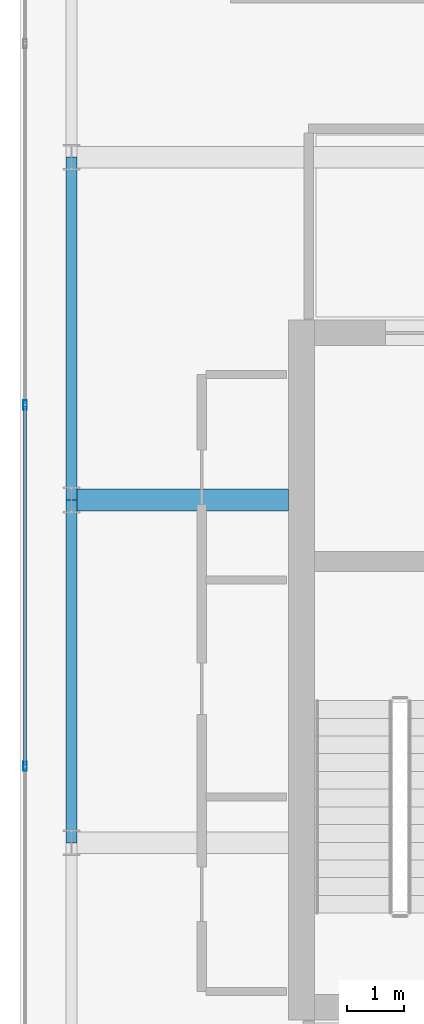
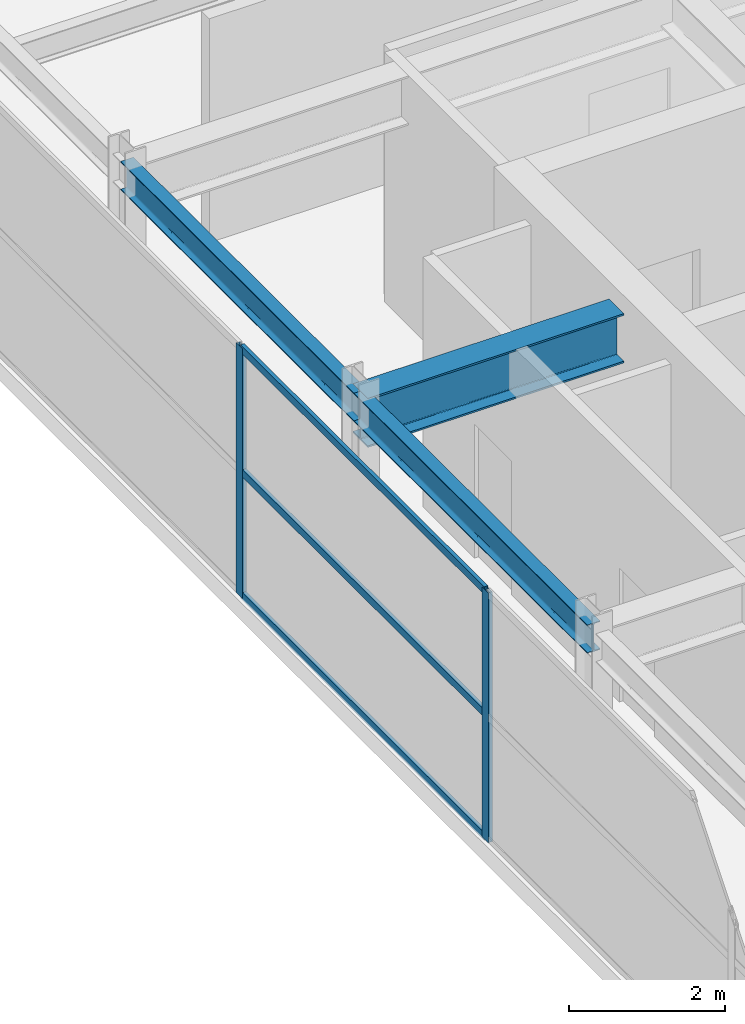
# One storey, part 11 of 32: 5 members, 3 beams, 1 element without a shape of its own.
"""IFC4 building model written with IfcOpenShell, lengths in metres."""

from ifc_helpers import new_model, si_unit, direction, frame, origin, origin_2d, place, context, subcontext, project, spatial, hollow_rectangle, i_section, extrude, source, transform, mapped, material, layer, layer_set, material_profile, profile_set, type_object, element, aggregate, save


model = new_model("IFC4")

# Units and contexts
model_context = context("Model", 3, precision=1e-05, world=origin(), true_north=direction((0.0, 1.0)))
body_context = subcontext(model_context, "Body", "Model", "MODEL_VIEW")
ifc_project = project(units=[si_unit("LENGTHUNIT", "METRE"), si_unit("AREAUNIT", "SQUARE_METRE"), si_unit("VOLUMEUNIT", "CUBIC_METRE"), si_unit("PLANEANGLEUNIT", "RADIAN"), si_unit("MASSUNIT", "GRAM", prefix="KILO")], contexts=[model_context])

# Site, building, storey
site_placement = place(None, origin())
site = spatial("IfcSite", under=ifc_project, at=site_placement, CompositionType="ELEMENT")
building_placement = place(site_placement, origin())
building = spatial("IfcBuilding", under=site, at=building_placement, Name="Khoralis Quay Care Tower", CompositionType="ELEMENT")
storey_placement = place(building_placement, frame((0.0, 0.0, 297.89990234375)))
storey = spatial("IfcBuildingStorey", under=building, at=storey_placement, Name="L78", CompositionType="ELEMENT", Elevation=297.89990234375)

# Beams
ifc_material_1 = material(Name="Steel S355", Category="steel")
ifc_material_profile_1 = material_profile(ifc_material_1, i_section(OverallWidth=0.18994140625, OverallDepth=0.449951171875, WebThickness=0.009521484375, FlangeThickness=0.0146484375, FilletRadius=0.02099609375, at=origin_2d()), Name="Steel S355")
ifc_profile_set_1 = profile_set([ifc_material_profile_1], Name="Steel S355")
beam_type_1 = type_object("IfcBeamType", Name="BM-IPE450", PredefinedType="SPANDREL", material=ifc_profile_set_1)
shared_shape_1 = source(origin(), body_context, "Body", "SweptSolid", [
    extrude(i_section(OverallWidth=0.18994140625, OverallDepth=0.449951171875, WebThickness=0.009521484375, FlangeThickness=0.0146484375, FilletRadius=0.02099609375, at=origin_2d()), origin(), (0.0, 0.0, 1.0), 6.0),
])
for number, where, z_axis, x_axis, name in (
    (1, (3.89990234375, 18.0, 3.695068359375), (0.0, 1.0, 0.0), (-1.0, 0.0, 0.0), "BM-TSP-L78-10"),
    (2, (3.89990234375, 24.0, 3.695068359375), (0.0, 1.0, 0.0), (-1.0, 0.0, 0.0), "BM-TSP-L78-11"),
):
    element("IfcBeam", number, at=place(storey_placement, frame(where, z_axis=z_axis, x_axis=x_axis)), inside=storey, type_object=beam_type_1, Name=name, PredefinedType="SPANDREL", context=body_context, shape_type="MappedRepresentation", body=[
        mapped(shared_shape_1, transform((0.0, 0.0, 0.0), scale=1.0)),
    ])
ifc_material_profile_2 = material_profile(ifc_material_1, i_section(OverallWidth=0.381103515625, OverallDepth=0.77294921875, WebThickness=0.0166015625, FlangeThickness=0.027587890625, FilletRadius=0.02197265625, at=origin_2d()), Name="Steel S355")
ifc_profile_set_2 = profile_set([ifc_material_profile_2], Name="Steel S355")
beam_type_2 = type_object("IfcBeamType", Name="BM-W760X257", PredefinedType="BEAM", material=ifc_profile_set_2)
shared_shape_2 = source(origin(), body_context, "Body", "SweptSolid", [
    extrude(i_section(OverallWidth=0.381103515625, OverallDepth=0.77294921875, WebThickness=0.0166015625, FlangeThickness=0.027587890625, FilletRadius=0.02197265625, at=origin_2d()), origin(), (0.0, 0.0, 1.0), 3.802001953125),
])
beam_placement = place(storey_placement, frame((3.89990234375, 24.0, 3.53369140625), z_axis=(1.0, 0.0, 0.0), x_axis=(0.0, 1.0, 0.0)))
element("IfcBeam", 3, at=beam_placement, inside=storey, type_object=beam_type_2, Name="BM-TGXW-L78-240", PredefinedType="BEAM", context=body_context, shape_type="MappedRepresentation", body=[
    mapped(shared_shape_2, transform((0.0, 0.0, 0.0), scale=1.0)),
])

# Curtain wall, members
ifc_material_2 = material(Name="Pale anodised aluminium", Category="aluminium")
ifc_layer = layer(ifc_material_2, 0.199951171875)
ifc_layer_set = layer_set([ifc_layer], Name="Pale anodised aluminium")
curtain_wall_type = type_object("IfcCurtainWallType", Name="CW-SYS-LANTERN", PredefinedType="NOTDEFINED", material=ifc_layer_set)
curtain_wall_placement = place(storey_placement, origin())
curtain_wall = element("IfcCurtainWall", 4, at=curtain_wall_placement, inside=storey, type_object=curtain_wall_type, Name="L78 Unitised Curtain Wall CW-LN-L78-16", PredefinedType="NOTDEFINED")
ifc_material_profile_3 = material_profile(ifc_material_2, hollow_rectangle(XDim=0.06005859375, YDim=0.159912109375, WallThickness=0.00390625, at=origin_2d()), Name="Pale anodised aluminium")
ifc_profile_set_3 = profile_set([ifc_material_profile_3], Name="Pale anodised aluminium")
member_type_1 = type_object("IfcMemberType", Name="CW-MUL-160", PredefinedType="MULLION", material=ifc_profile_set_3)
shared_shape_3 = source(origin(), body_context, "Body", "SweptSolid", [
    extrude(hollow_rectangle(XDim=0.06005859375, YDim=0.159912109375, WallThickness=0.00390625, at=origin_2d()), origin(), (0.0, 0.0, 1.0), 3.920166015625),
])
member_1_placement = place(storey_placement, frame((3.090087890625, 25.662109375, 0.0), z_axis=(0.0, 0.0, 1.0), x_axis=(1.0, 0.0, 0.0)))
member_1 = element("IfcMember", 5, at=member_1_placement, type_object=member_type_1, Name="CW5 mullion 3", PredefinedType="MULLION", context=body_context, shape_type="MappedRepresentation", body=[
    mapped(shared_shape_3, transform((0.0, 0.0, 0.0), scale=1.0)),
])
member_2_placement = place(storey_placement, frame((3.090087890625, 19.337890625, 0.0), z_axis=(0.0, 0.0, 1.0), x_axis=(1.0, 0.0, 0.0)))
member_2 = element("IfcMember", 6, at=member_2_placement, type_object=member_type_1, Name="CW5 mullion 4", PredefinedType="MULLION", context=body_context, shape_type="MappedRepresentation", body=[
    mapped(shared_shape_3, transform((0.0, 0.0, 0.0), scale=1.0)),
])
ifc_material_profile_4 = material_profile(ifc_material_2, hollow_rectangle(XDim=0.054931640625, YDim=0.1201171875, WallThickness=0.00390625, at=origin_2d()), Name="Pale anodised aluminium")
ifc_profile_set_4 = profile_set([ifc_material_profile_4], Name="Pale anodised aluminium")
member_type_2 = type_object("IfcMemberType", Name="CW-TRN-120", PredefinedType="USERDEFINED", material=ifc_profile_set_4)
shared_shape_4 = source(origin(), body_context, "Body", "SweptSolid", [
    extrude(hollow_rectangle(XDim=0.054931640625, YDim=0.1201171875, WallThickness=0.00390625, at=origin_2d()), origin(), (0.0, 0.0, 1.0), 6.26416015625),
])
member_3_placement = place(storey_placement, frame((3.090087890625, 25.632080078125, 0.030029296875), z_axis=(0.0, -1.0, 0.0), x_axis=(1.0, 0.0, 0.0)))
member_3 = element("IfcMember", 7, at=member_3_placement, type_object=member_type_2, Name="CW5 transom 3.1", ObjectType="TRANSOM", PredefinedType="USERDEFINED", context=body_context, shape_type="MappedRepresentation", body=[
    mapped(shared_shape_4, transform((0.0, 0.0, 0.0), scale=1.0)),
])
member_4_placement = place(storey_placement, frame((3.090087890625, 25.632080078125, 1.960205078125), z_axis=(0.0, -1.0, 0.0), x_axis=(1.0, 0.0, 0.0)))
member_4 = element("IfcMember", 8, at=member_4_placement, type_object=member_type_2, Name="CW5 transom 3.2", ObjectType="TRANSOM", PredefinedType="USERDEFINED", context=body_context, shape_type="MappedRepresentation", body=[
    mapped(shared_shape_4, transform((0.0, 0.0, 0.0), scale=1.0)),
])
member_5_placement = place(storey_placement, frame((3.090087890625, 25.632080078125, 3.89013671875), z_axis=(0.0, -1.0, 0.0), x_axis=(1.0, 0.0, 0.0)))
member_5 = element("IfcMember", 9, at=member_5_placement, type_object=member_type_2, Name="CW5 transom 3.3", ObjectType="TRANSOM", PredefinedType="USERDEFINED", context=body_context, shape_type="MappedRepresentation", body=[
    mapped(shared_shape_4, transform((0.0, 0.0, 0.0), scale=1.0)),
])
aggregate(curtain_wall, [member_1, member_2, member_3, member_4, member_5])

save(model, "model.ifc")
